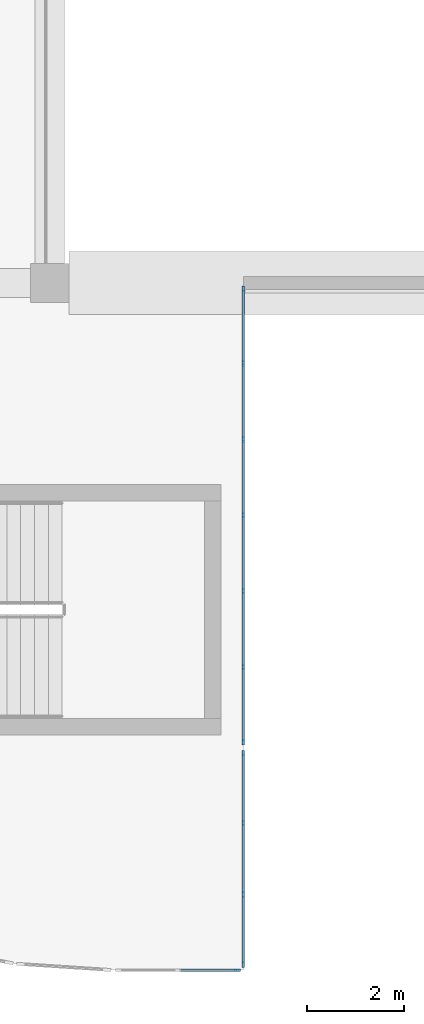
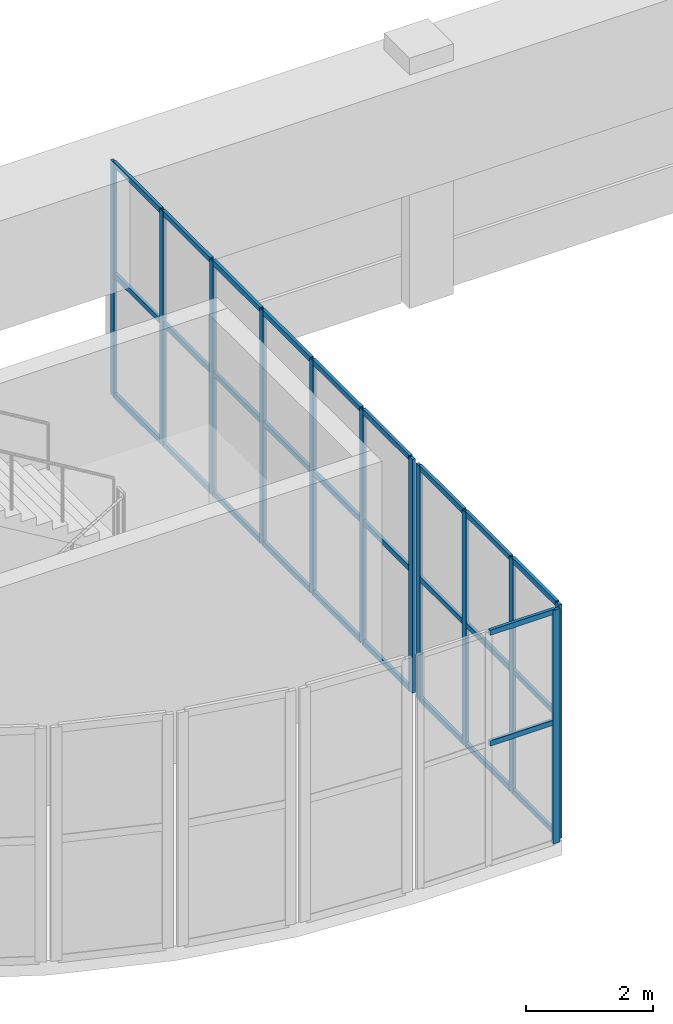
# One storey, part 3 of 33: 41 members, 3 elements without a shape of their own.
"""IFC4 building model written with IfcOpenShell, lengths in metres."""

from ifc_helpers import new_model, si_unit, direction, frame, origin, origin_2d, place, context, subcontext, project, spatial, rectangle, extrude, material, layer, layer_set, material_profile, profile_set, type_object, element, aggregate, save


model = new_model("IFC4")

# Units and contexts
model_context = context("Model", 3, precision=1e-05, world=origin(), true_north=direction((0.0, 1.0)))
body_context = subcontext(model_context, "Body", "Model", "MODEL_VIEW")
ifc_project = project(units=[si_unit("LENGTHUNIT", "METRE"), si_unit("AREAUNIT", "SQUARE_METRE"), si_unit("VOLUMEUNIT", "CUBIC_METRE"), si_unit("PLANEANGLEUNIT", "RADIAN"), si_unit("MASSUNIT", "GRAM", prefix="KILO")], contexts=[model_context])

# Site, building, storey
site_placement = place(None, origin())
site = spatial("IfcSite", under=ifc_project, at=site_placement, CompositionType="ELEMENT")
building_placement = place(site_placement, origin())
building = spatial("IfcBuilding", under=site, at=building_placement, Name="Cendralis Terraced Arcade", CompositionType="ELEMENT")
storey_placement = place(building_placement, frame((0.0, 0.0, 19.800048828125)))
storey = spatial("IfcBuildingStorey", under=building, at=storey_placement, Name="L04", CompositionType="ELEMENT", Elevation=19.800048828125)

# Curtain wall, members
ifc_material = material(Name="Anodised aluminium EN AW-6063 T6", Category="aluminium")
ifc_layer = layer(ifc_material, 0.1201171875, Name="CW-STORE-B")
ifc_layer_set = layer_set([ifc_layer], Name="Anodised aluminium EN AW-6063 T6")
curtain_wall_type = type_object("IfcCurtainWallType", Name="CW-STORE-B", PredefinedType="USERDEFINED", material=ifc_layer_set)
curtain_wall_1_placement = place(storey_placement, origin())
curtain_wall_1 = element("IfcCurtainWall", 1, at=curtain_wall_1_placement, inside=storey, type_object=curtain_wall_type, Name="Exterior Storefront Glazing CW-L04-0351", ObjectType="STOREFRONT GLAZING", PredefinedType="USERDEFINED")
ifc_material_profile_1 = material_profile(ifc_material, rectangle(XDim=0.054931640625, YDim=0.1201171875, at=origin_2d()), Name="ALU-MUL-55x120")
ifc_profile_set_1 = profile_set([ifc_material_profile_1], Name="Anodised aluminium EN AW-6063 T6")
member_type_1 = type_object("IfcMemberType", Name="CW-STORE-B-MUL", PredefinedType="MULLION", material=ifc_profile_set_1)
member_1_placement = place(storey_placement, frame((23.199951171875, 19.08251953125, 0.0), z_axis=(0.0, 0.0, 1.0), x_axis=(1.0, 0.0, 0.0)))
member_1 = element("IfcMember", 2, at=member_1_placement, type_object=member_type_1, Name="CW-S2 mullion 1", PredefinedType="MULLION", context=body_context, shape_type="SweptSolid", body=[
    extrude(rectangle(XDim=0.054931640625, YDim=0.1201171875, at=origin_2d()), origin(), (0.0, 0.0, 1.0), 4.47998046875),
])
member_2_placement = place(storey_placement, frame((23.199951171875, 17.5400390625, 0.0), z_axis=(0.0, 0.0, 1.0), x_axis=(1.0, 0.0, 0.0)))
member_2 = element("IfcMember", 3, at=member_2_placement, type_object=member_type_1, Name="CW-S2 mullion 2", PredefinedType="MULLION", context=body_context, shape_type="SweptSolid", body=[
    extrude(rectangle(XDim=0.054931640625, YDim=0.1201171875, at=origin_2d()), origin(), (0.0, 0.0, 1.0), 4.47998046875),
])
member_3_placement = place(storey_placement, frame((23.199951171875, 15.969970703125, 0.0), z_axis=(0.0, 0.0, 1.0), x_axis=(1.0, 0.0, 0.0)))
member_3 = element("IfcMember", 4, at=member_3_placement, type_object=member_type_1, Name="CW-S2 mullion 3", PredefinedType="MULLION", context=body_context, shape_type="SweptSolid", body=[
    extrude(rectangle(XDim=0.054931640625, YDim=0.1201171875, at=origin_2d()), origin(), (0.0, 0.0, 1.0), 4.47998046875),
])
member_4_placement = place(storey_placement, frame((23.199951171875, 14.39990234375, 0.0), z_axis=(0.0, 0.0, 1.0), x_axis=(1.0, 0.0, 0.0)))
member_4 = element("IfcMember", 5, at=member_4_placement, type_object=member_type_1, Name="CW-S2 mullion 4", PredefinedType="MULLION", context=body_context, shape_type="SweptSolid", body=[
    extrude(rectangle(XDim=0.054931640625, YDim=0.1201171875, at=origin_2d()), origin(), (0.0, 0.0, 1.0), 4.47998046875),
])
member_5_placement = place(storey_placement, frame((23.199951171875, 12.830078125, 0.0), z_axis=(0.0, 0.0, 1.0), x_axis=(1.0, 0.0, 0.0)))
member_5 = element("IfcMember", 6, at=member_5_placement, type_object=member_type_1, Name="CW-S2 mullion 5", PredefinedType="MULLION", context=body_context, shape_type="SweptSolid", body=[
    extrude(rectangle(XDim=0.054931640625, YDim=0.1201171875, at=origin_2d()), origin(), (0.0, 0.0, 1.0), 4.47998046875),
])
member_6_placement = place(storey_placement, frame((23.199951171875, 11.260009765625, 0.0), z_axis=(0.0, 0.0, 1.0), x_axis=(1.0, 0.0, 0.0)))
member_6 = element("IfcMember", 7, at=member_6_placement, type_object=member_type_1, Name="CW-S2 mullion 6", PredefinedType="MULLION", context=body_context, shape_type="SweptSolid", body=[
    extrude(rectangle(XDim=0.054931640625, YDim=0.1201171875, at=origin_2d()), origin(), (0.0, 0.0, 1.0), 4.47998046875),
])
member_7_placement = place(storey_placement, frame((23.199951171875, 9.717529296875, 0.0), z_axis=(0.0, 0.0, 1.0), x_axis=(1.0, 0.0, 0.0)))
member_7 = element("IfcMember", 8, at=member_7_placement, type_object=member_type_1, Name="CW-S2 mullion 7", PredefinedType="MULLION", context=body_context, shape_type="SweptSolid", body=[
    extrude(rectangle(XDim=0.054931640625, YDim=0.1201171875, at=origin_2d()), origin(), (0.0, 0.0, 1.0), 4.47998046875),
])

curtain_wall_2_placement = place(storey_placement, origin())
curtain_wall_2 = element("IfcCurtainWall", 9, at=curtain_wall_2_placement, inside=storey, type_object=curtain_wall_type, Name="Exterior Storefront Glazing CW-L04-0352", ObjectType="STOREFRONT GLAZING", PredefinedType="USERDEFINED")
member_8_placement = place(storey_placement, frame((23.199951171875, 9.482421875, 0.0), z_axis=(0.0, 0.0, 1.0), x_axis=(1.0, 0.0, 0.0)))
member_8 = element("IfcMember", 10, at=member_8_placement, type_object=member_type_1, Name="CW-S2 mullion 1", PredefinedType="MULLION", context=body_context, shape_type="SweptSolid", body=[
    extrude(rectangle(XDim=0.054931640625, YDim=0.1201171875, at=origin_2d()), origin(), (0.0, 0.0, 1.0), 4.47998046875),
])
member_9_placement = place(storey_placement, frame((23.199951171875, 8.03662109375, 0.0), z_axis=(0.0, 0.0, 1.0), x_axis=(1.0, 0.0, 0.0)))
member_9 = element("IfcMember", 11, at=member_9_placement, type_object=member_type_1, Name="CW-S2 mullion 2", PredefinedType="MULLION", context=body_context, shape_type="SweptSolid", body=[
    extrude(rectangle(XDim=0.054931640625, YDim=0.1201171875, at=origin_2d()), origin(), (0.0, 0.0, 1.0), 4.47998046875),
])
member_10_placement = place(storey_placement, frame((23.199951171875, 6.563232421875, 0.0), z_axis=(0.0, 0.0, 1.0), x_axis=(1.0, 0.0, 0.0)))
member_10 = element("IfcMember", 12, at=member_10_placement, type_object=member_type_1, Name="CW-S2 mullion 3", PredefinedType="MULLION", context=body_context, shape_type="SweptSolid", body=[
    extrude(rectangle(XDim=0.054931640625, YDim=0.1201171875, at=origin_2d()), origin(), (0.0, 0.0, 1.0), 4.47998046875),
])
member_11_placement = place(storey_placement, frame((23.199951171875, 5.117431640625, 0.0), z_axis=(0.0, 0.0, 1.0), x_axis=(1.0, 0.0, 0.0)))
member_11 = element("IfcMember", 13, at=member_11_placement, type_object=member_type_1, Name="CW-S2 mullion 4", PredefinedType="MULLION", context=body_context, shape_type="SweptSolid", body=[
    extrude(rectangle(XDim=0.054931640625, YDim=0.1201171875, at=origin_2d()), origin(), (0.0, 0.0, 1.0), 4.47998046875),
])

# Curtain wall, member
curtain_wall_3_placement = place(storey_placement, origin())
curtain_wall_3 = element("IfcCurtainWall", 14, at=curtain_wall_3_placement, inside=storey, type_object=curtain_wall_type, Name="Exterior Storefront Glazing CW-L04-0353", ObjectType="STOREFRONT GLAZING", PredefinedType="USERDEFINED")
member_12_placement = place(storey_placement, frame((23.08251953125, 5.0, 0.0), z_axis=(0.0, 0.0, 1.0), x_axis=(0.0, -1.0, 0.0)))
member_12 = element("IfcMember", 15, at=member_12_placement, type_object=member_type_1, Name="CW-S2 mullion 1", PredefinedType="MULLION", context=body_context, shape_type="SweptSolid", body=[
    extrude(rectangle(XDim=0.054931640625, YDim=0.1201171875, at=origin_2d()), origin(), (0.0, 0.0, 1.0), 4.47998046875),
])

# Member
ifc_material_profile_2 = material_profile(ifc_material, rectangle(XDim=0.054931640625, YDim=0.10009765625, at=origin_2d()), Name="ALU-TRN-55x100")
ifc_profile_set_2 = profile_set([ifc_material_profile_2], Name="Anodised aluminium EN AW-6063 T6")
member_type_2 = type_object("IfcMemberType", Name="CW-STORE-B-TRN", PredefinedType="USERDEFINED", material=ifc_profile_set_2)
member_13_placement = place(storey_placement, frame((23.199951171875, 19.054931640625, 0.02734375), z_axis=(0.0, -1.0, 0.0), x_axis=(1.0, 0.0, 0.0)))
member_13 = element("IfcMember", 16, at=member_13_placement, type_object=member_type_2, Name="CW-S2 transom 1.1", ObjectType="TRANSOM", PredefinedType="USERDEFINED", context=body_context, shape_type="SweptSolid", body=[
    extrude(rectangle(XDim=0.054931640625, YDim=0.10009765625, at=origin_2d()), origin(), (0.0, 0.0, 1.0), 1.487548828125),
])

member_14_placement = place(storey_placement, frame((23.199951171875, 19.054931640625, 2.32958984375), z_axis=(0.0, -1.0, 0.0), x_axis=(1.0, 0.0, 0.0)))
member_14 = element("IfcMember", 17, at=member_14_placement, type_object=member_type_2, Name="CW-S2 transom 1.2", ObjectType="TRANSOM", PredefinedType="USERDEFINED", context=body_context, shape_type="SweptSolid", body=[
    extrude(rectangle(XDim=0.054931640625, YDim=0.10009765625, at=origin_2d()), origin(), (0.0, 0.0, 1.0), 1.487548828125),
])

member_15_placement = place(storey_placement, frame((23.199951171875, 19.054931640625, 4.452392578125), z_axis=(0.0, -1.0, 0.0), x_axis=(1.0, 0.0, 0.0)))
member_15 = element("IfcMember", 18, at=member_15_placement, type_object=member_type_2, Name="CW-S2 transom 1.3", ObjectType="TRANSOM", PredefinedType="USERDEFINED", context=body_context, shape_type="SweptSolid", body=[
    extrude(rectangle(XDim=0.054931640625, YDim=0.10009765625, at=origin_2d()), origin(), (0.0, 0.0, 1.0), 1.487548828125),
])

member_16_placement = place(storey_placement, frame((23.199951171875, 17.512451171875, 0.02734375), z_axis=(0.0, -1.0, 0.0), x_axis=(1.0, 0.0, 0.0)))
member_16 = element("IfcMember", 19, at=member_16_placement, type_object=member_type_2, Name="CW-S2 transom 2.1", ObjectType="TRANSOM", PredefinedType="USERDEFINED", context=body_context, shape_type="SweptSolid", body=[
    extrude(rectangle(XDim=0.054931640625, YDim=0.10009765625, at=origin_2d()), origin(), (0.0, 0.0, 1.0), 1.514892578125),
])

member_17_placement = place(storey_placement, frame((23.199951171875, 17.512451171875, 2.32958984375), z_axis=(0.0, -1.0, 0.0), x_axis=(1.0, 0.0, 0.0)))
member_17 = element("IfcMember", 20, at=member_17_placement, type_object=member_type_2, Name="CW-S2 transom 2.2", ObjectType="TRANSOM", PredefinedType="USERDEFINED", context=body_context, shape_type="SweptSolid", body=[
    extrude(rectangle(XDim=0.054931640625, YDim=0.10009765625, at=origin_2d()), origin(), (0.0, 0.0, 1.0), 1.514892578125),
])

member_18_placement = place(storey_placement, frame((23.199951171875, 17.512451171875, 4.452392578125), z_axis=(0.0, -1.0, 0.0), x_axis=(1.0, 0.0, 0.0)))
member_18 = element("IfcMember", 21, at=member_18_placement, type_object=member_type_2, Name="CW-S2 transom 2.3", ObjectType="TRANSOM", PredefinedType="USERDEFINED", context=body_context, shape_type="SweptSolid", body=[
    extrude(rectangle(XDim=0.054931640625, YDim=0.10009765625, at=origin_2d()), origin(), (0.0, 0.0, 1.0), 1.514892578125),
])

member_19_placement = place(storey_placement, frame((23.199951171875, 15.9423828125, 0.02734375), z_axis=(0.0, -1.0, 0.0), x_axis=(1.0, 0.0, 0.0)))
member_19 = element("IfcMember", 22, at=member_19_placement, type_object=member_type_2, Name="CW-S2 transom 3.1", ObjectType="TRANSOM", PredefinedType="USERDEFINED", context=body_context, shape_type="SweptSolid", body=[
    extrude(rectangle(XDim=0.054931640625, YDim=0.10009765625, at=origin_2d()), origin(), (0.0, 0.0, 1.0), 1.514892578125),
])

member_20_placement = place(storey_placement, frame((23.199951171875, 15.9423828125, 2.32958984375), z_axis=(0.0, -1.0, 0.0), x_axis=(1.0, 0.0, 0.0)))
member_20 = element("IfcMember", 23, at=member_20_placement, type_object=member_type_2, Name="CW-S2 transom 3.2", ObjectType="TRANSOM", PredefinedType="USERDEFINED", context=body_context, shape_type="SweptSolid", body=[
    extrude(rectangle(XDim=0.054931640625, YDim=0.10009765625, at=origin_2d()), origin(), (0.0, 0.0, 1.0), 1.514892578125),
])

member_21_placement = place(storey_placement, frame((23.199951171875, 15.9423828125, 4.452392578125), z_axis=(0.0, -1.0, 0.0), x_axis=(1.0, 0.0, 0.0)))
member_21 = element("IfcMember", 24, at=member_21_placement, type_object=member_type_2, Name="CW-S2 transom 3.3", ObjectType="TRANSOM", PredefinedType="USERDEFINED", context=body_context, shape_type="SweptSolid", body=[
    extrude(rectangle(XDim=0.054931640625, YDim=0.10009765625, at=origin_2d()), origin(), (0.0, 0.0, 1.0), 1.514892578125),
])

member_22_placement = place(storey_placement, frame((23.199951171875, 14.37255859375, 0.02734375), z_axis=(0.0, -1.0, 0.0), x_axis=(1.0, 0.0, 0.0)))
member_22 = element("IfcMember", 25, at=member_22_placement, type_object=member_type_2, Name="CW-S2 transom 4.1", ObjectType="TRANSOM", PredefinedType="USERDEFINED", context=body_context, shape_type="SweptSolid", body=[
    extrude(rectangle(XDim=0.054931640625, YDim=0.10009765625, at=origin_2d()), origin(), (0.0, 0.0, 1.0), 1.51513671875),
])

member_23_placement = place(storey_placement, frame((23.199951171875, 14.37255859375, 2.32958984375), z_axis=(0.0, -1.0, 0.0), x_axis=(1.0, 0.0, 0.0)))
member_23 = element("IfcMember", 26, at=member_23_placement, type_object=member_type_2, Name="CW-S2 transom 4.2", ObjectType="TRANSOM", PredefinedType="USERDEFINED", context=body_context, shape_type="SweptSolid", body=[
    extrude(rectangle(XDim=0.054931640625, YDim=0.10009765625, at=origin_2d()), origin(), (0.0, 0.0, 1.0), 1.51513671875),
])

member_24_placement = place(storey_placement, frame((23.199951171875, 14.37255859375, 4.452392578125), z_axis=(0.0, -1.0, 0.0), x_axis=(1.0, 0.0, 0.0)))
member_24 = element("IfcMember", 27, at=member_24_placement, type_object=member_type_2, Name="CW-S2 transom 4.3", ObjectType="TRANSOM", PredefinedType="USERDEFINED", context=body_context, shape_type="SweptSolid", body=[
    extrude(rectangle(XDim=0.054931640625, YDim=0.10009765625, at=origin_2d()), origin(), (0.0, 0.0, 1.0), 1.51513671875),
])

member_25_placement = place(storey_placement, frame((23.199951171875, 12.802490234375, 0.02734375), z_axis=(0.0, -1.0, 0.0), x_axis=(1.0, 0.0, 0.0)))
member_25 = element("IfcMember", 28, at=member_25_placement, type_object=member_type_2, Name="CW-S2 transom 5.1", ObjectType="TRANSOM", PredefinedType="USERDEFINED", context=body_context, shape_type="SweptSolid", body=[
    extrude(rectangle(XDim=0.054931640625, YDim=0.10009765625, at=origin_2d()), origin(), (0.0, 0.0, 1.0), 1.514892578125),
])

member_26_placement = place(storey_placement, frame((23.199951171875, 12.802490234375, 2.32958984375), z_axis=(0.0, -1.0, 0.0), x_axis=(1.0, 0.0, 0.0)))
member_26 = element("IfcMember", 29, at=member_26_placement, type_object=member_type_2, Name="CW-S2 transom 5.2", ObjectType="TRANSOM", PredefinedType="USERDEFINED", context=body_context, shape_type="SweptSolid", body=[
    extrude(rectangle(XDim=0.054931640625, YDim=0.10009765625, at=origin_2d()), origin(), (0.0, 0.0, 1.0), 1.514892578125),
])

member_27_placement = place(storey_placement, frame((23.199951171875, 12.802490234375, 4.452392578125), z_axis=(0.0, -1.0, 0.0), x_axis=(1.0, 0.0, 0.0)))
member_27 = element("IfcMember", 30, at=member_27_placement, type_object=member_type_2, Name="CW-S2 transom 5.3", ObjectType="TRANSOM", PredefinedType="USERDEFINED", context=body_context, shape_type="SweptSolid", body=[
    extrude(rectangle(XDim=0.054931640625, YDim=0.10009765625, at=origin_2d()), origin(), (0.0, 0.0, 1.0), 1.514892578125),
])

member_28_placement = place(storey_placement, frame((23.199951171875, 11.232421875, 0.02734375), z_axis=(0.0, -1.0, 0.0), x_axis=(1.0, 0.0, 0.0)))
member_28 = element("IfcMember", 31, at=member_28_placement, type_object=member_type_2, Name="CW-S2 transom 6.1", ObjectType="TRANSOM", PredefinedType="USERDEFINED", context=body_context, shape_type="SweptSolid", body=[
    extrude(rectangle(XDim=0.054931640625, YDim=0.10009765625, at=origin_2d()), origin(), (0.0, 0.0, 1.0), 1.4873046875),
])

member_29_placement = place(storey_placement, frame((23.199951171875, 11.232421875, 2.32958984375), z_axis=(0.0, -1.0, 0.0), x_axis=(1.0, 0.0, 0.0)))
member_29 = element("IfcMember", 32, at=member_29_placement, type_object=member_type_2, Name="CW-S2 transom 6.2", ObjectType="TRANSOM", PredefinedType="USERDEFINED", context=body_context, shape_type="SweptSolid", body=[
    extrude(rectangle(XDim=0.054931640625, YDim=0.10009765625, at=origin_2d()), origin(), (0.0, 0.0, 1.0), 1.4873046875),
])

member_30_placement = place(storey_placement, frame((23.199951171875, 11.232421875, 4.452392578125), z_axis=(0.0, -1.0, 0.0), x_axis=(1.0, 0.0, 0.0)))
member_30 = element("IfcMember", 33, at=member_30_placement, type_object=member_type_2, Name="CW-S2 transom 6.3", ObjectType="TRANSOM", PredefinedType="USERDEFINED", context=body_context, shape_type="SweptSolid", body=[
    extrude(rectangle(XDim=0.054931640625, YDim=0.10009765625, at=origin_2d()), origin(), (0.0, 0.0, 1.0), 1.4873046875),
])

aggregate(curtain_wall_1, [member_1, member_2, member_3, member_4, member_5, member_6, member_7, member_13, member_14, member_15, member_16, member_17, member_18, member_19, member_20, member_21, member_22, member_23, member_24, member_25, member_26, member_27, member_28, member_29, member_30])

member_31_placement = place(storey_placement, frame((23.199951171875, 9.455078125, 0.02734375), z_axis=(0.0, -1.0, 0.0), x_axis=(1.0, 0.0, 0.0)))
member_31 = element("IfcMember", 34, at=member_31_placement, type_object=member_type_2, Name="CW-S2 transom 1.1", ObjectType="TRANSOM", PredefinedType="USERDEFINED", context=body_context, shape_type="SweptSolid", body=[
    extrude(rectangle(XDim=0.054931640625, YDim=0.10009765625, at=origin_2d()), origin(), (0.0, 0.0, 1.0), 1.390869140625),
])

member_32_placement = place(storey_placement, frame((23.199951171875, 9.455078125, 2.32958984375), z_axis=(0.0, -1.0, 0.0), x_axis=(1.0, 0.0, 0.0)))
member_32 = element("IfcMember", 35, at=member_32_placement, type_object=member_type_2, Name="CW-S2 transom 1.2", ObjectType="TRANSOM", PredefinedType="USERDEFINED", context=body_context, shape_type="SweptSolid", body=[
    extrude(rectangle(XDim=0.054931640625, YDim=0.10009765625, at=origin_2d()), origin(), (0.0, 0.0, 1.0), 1.390869140625),
])

member_33_placement = place(storey_placement, frame((23.199951171875, 9.455078125, 4.452392578125), z_axis=(0.0, -1.0, 0.0), x_axis=(1.0, 0.0, 0.0)))
member_33 = element("IfcMember", 36, at=member_33_placement, type_object=member_type_2, Name="CW-S2 transom 1.3", ObjectType="TRANSOM", PredefinedType="USERDEFINED", context=body_context, shape_type="SweptSolid", body=[
    extrude(rectangle(XDim=0.054931640625, YDim=0.10009765625, at=origin_2d()), origin(), (0.0, 0.0, 1.0), 1.390869140625),
])

member_34_placement = place(storey_placement, frame((23.199951171875, 8.00927734375, 0.02734375), z_axis=(0.0, -1.0, 0.0), x_axis=(1.0, 0.0, 0.0)))
member_34 = element("IfcMember", 37, at=member_34_placement, type_object=member_type_2, Name="CW-S2 transom 2.1", ObjectType="TRANSOM", PredefinedType="USERDEFINED", context=body_context, shape_type="SweptSolid", body=[
    extrude(rectangle(XDim=0.054931640625, YDim=0.10009765625, at=origin_2d()), origin(), (0.0, 0.0, 1.0), 1.41845703125),
])

member_35_placement = place(storey_placement, frame((23.199951171875, 8.00927734375, 2.32958984375), z_axis=(0.0, -1.0, 0.0), x_axis=(1.0, 0.0, 0.0)))
member_35 = element("IfcMember", 38, at=member_35_placement, type_object=member_type_2, Name="CW-S2 transom 2.2", ObjectType="TRANSOM", PredefinedType="USERDEFINED", context=body_context, shape_type="SweptSolid", body=[
    extrude(rectangle(XDim=0.054931640625, YDim=0.10009765625, at=origin_2d()), origin(), (0.0, 0.0, 1.0), 1.41845703125),
])

member_36_placement = place(storey_placement, frame((23.199951171875, 8.00927734375, 4.452392578125), z_axis=(0.0, -1.0, 0.0), x_axis=(1.0, 0.0, 0.0)))
member_36 = element("IfcMember", 39, at=member_36_placement, type_object=member_type_2, Name="CW-S2 transom 2.3", ObjectType="TRANSOM", PredefinedType="USERDEFINED", context=body_context, shape_type="SweptSolid", body=[
    extrude(rectangle(XDim=0.054931640625, YDim=0.10009765625, at=origin_2d()), origin(), (0.0, 0.0, 1.0), 1.41845703125),
])

member_37_placement = place(storey_placement, frame((23.199951171875, 6.535888671875, 0.02734375), z_axis=(0.0, -1.0, 0.0), x_axis=(1.0, 0.0, 0.0)))
member_37 = element("IfcMember", 40, at=member_37_placement, type_object=member_type_2, Name="CW-S2 transom 3.1", ObjectType="TRANSOM", PredefinedType="USERDEFINED", context=body_context, shape_type="SweptSolid", body=[
    extrude(rectangle(XDim=0.054931640625, YDim=0.10009765625, at=origin_2d()), origin(), (0.0, 0.0, 1.0), 1.390869140625),
])

member_38_placement = place(storey_placement, frame((23.199951171875, 6.535888671875, 2.32958984375), z_axis=(0.0, -1.0, 0.0), x_axis=(1.0, 0.0, 0.0)))
member_38 = element("IfcMember", 41, at=member_38_placement, type_object=member_type_2, Name="CW-S2 transom 3.2", ObjectType="TRANSOM", PredefinedType="USERDEFINED", context=body_context, shape_type="SweptSolid", body=[
    extrude(rectangle(XDim=0.054931640625, YDim=0.10009765625, at=origin_2d()), origin(), (0.0, 0.0, 1.0), 1.390869140625),
])

member_39_placement = place(storey_placement, frame((23.199951171875, 6.535888671875, 4.452392578125), z_axis=(0.0, -1.0, 0.0), x_axis=(1.0, 0.0, 0.0)))
member_39 = element("IfcMember", 42, at=member_39_placement, type_object=member_type_2, Name="CW-S2 transom 3.3", ObjectType="TRANSOM", PredefinedType="USERDEFINED", context=body_context, shape_type="SweptSolid", body=[
    extrude(rectangle(XDim=0.054931640625, YDim=0.10009765625, at=origin_2d()), origin(), (0.0, 0.0, 1.0), 1.390869140625),
])

aggregate(curtain_wall_2, [member_8, member_9, member_10, member_11, member_31, member_32, member_33, member_34, member_35, member_36, member_37, member_38, member_39])

member_40_placement = place(storey_placement, frame((23.054931640625, 5.0, 2.32958984375), z_axis=(-1.0, 0.0, 0.0), x_axis=(0.0, -1.0, 0.0)))
member_40 = element("IfcMember", 43, at=member_40_placement, type_object=member_type_2, Name="CW-S2 transom 1.2", ObjectType="TRANSOM", PredefinedType="USERDEFINED", context=body_context, shape_type="SweptSolid", body=[
    extrude(rectangle(XDim=0.054931640625, YDim=0.10009765625, at=origin_2d()), origin(), (0.0, 0.0, 1.0), 1.177490234375),
])

member_41_placement = place(storey_placement, frame((23.054931640625, 5.0, 4.452392578125), z_axis=(-1.0, 0.0, 0.0), x_axis=(0.0, -1.0, 0.0)))
member_41 = element("IfcMember", 44, at=member_41_placement, type_object=member_type_2, Name="CW-S2 transom 1.3", ObjectType="TRANSOM", PredefinedType="USERDEFINED", context=body_context, shape_type="SweptSolid", body=[
    extrude(rectangle(XDim=0.054931640625, YDim=0.10009765625, at=origin_2d()), origin(), (0.0, 0.0, 1.0), 1.177490234375),
])

aggregate(curtain_wall_3, [member_12, member_40, member_41])

save(model, "model.ifc")
